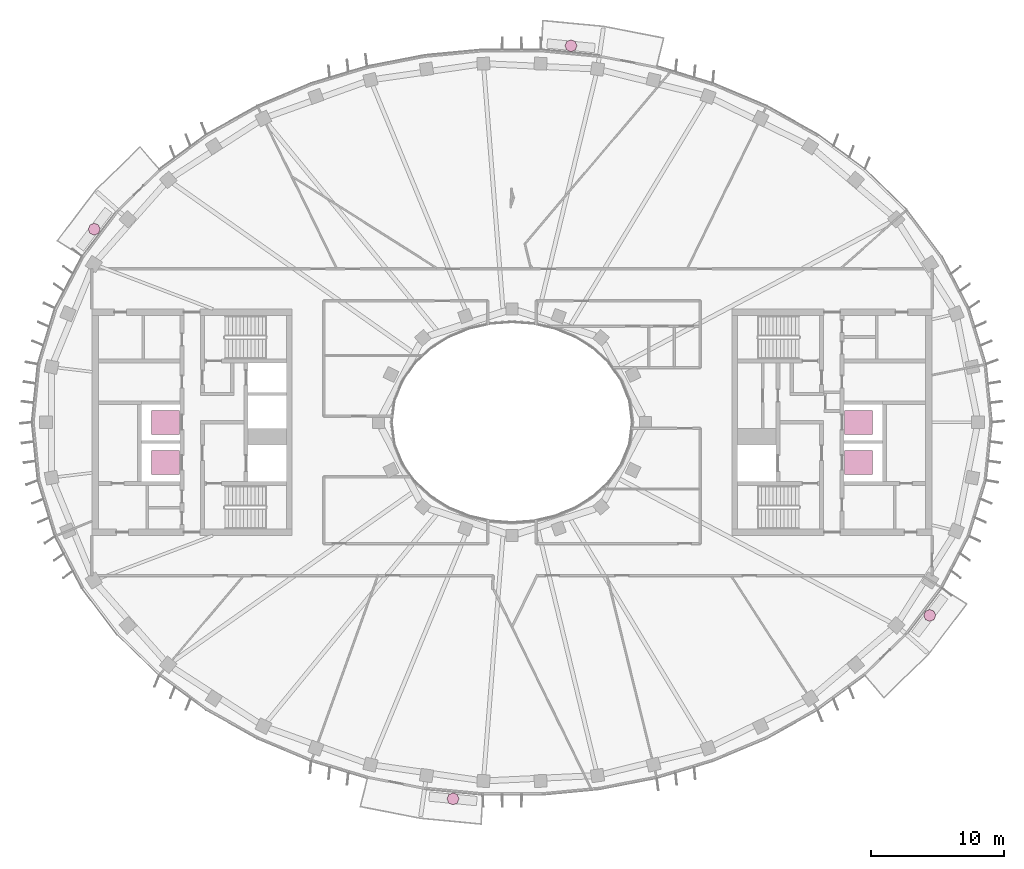
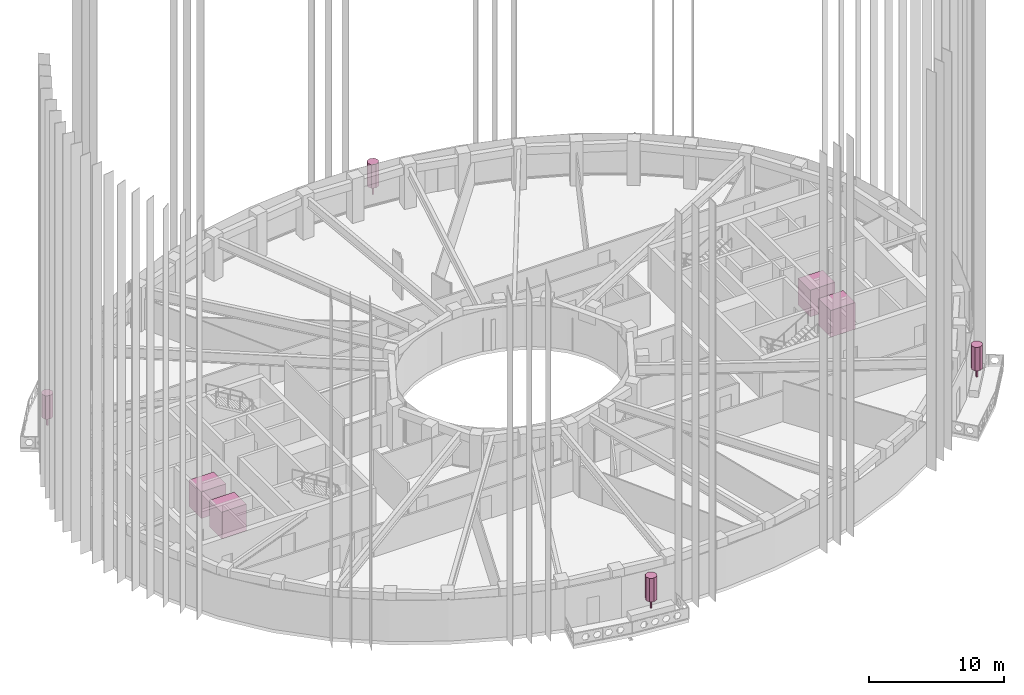
# One storey, part 17 of 17: 4 furnishings, 4 transport elements.
"""IFC4 building model written with IfcOpenShell, lengths in metres."""

import ifcopenshell
import ifcopenshell.guid

model = None  # the IFC model being written
_history = None  # IfcOwnerHistory: only IFC2X3 demands one
_inside = {}  # id of a spatial element -> (the spatial element, [elements in it])
_under = {}  # id of a project, library or spatial element -> (it, [spatial elements below it])
_declared = {}  # id of a project -> (the project, [libraries it declares])
_typed = {}  # id of a type object -> (the type object, [elements of that type])
_made_of = {}  # id of a material, layer set ... -> (it, [elements and type objects made of it])


def new_model(schema):
    """Start an empty IFC model of exactly this schema.

    Asked for "IFC4X3", IfcOpenShell would pick the latest addendum, in which some entities
    have other attributes; the version numbers below select the first issue.
    IFC2X3 requires an IfcOwnerHistory on every rooted entity: one is made here for all.
    """
    global model, _history
    if schema == "IFC4X3":
        model = ifcopenshell.file(schema_version=(4, 3, 0, 0))
    else:
        model = ifcopenshell.file(schema=schema)
    _inside.clear()
    _under.clear()
    _declared.clear()
    _typed.clear()
    _made_of.clear()
    _history = None
    if model.schema == "IFC2X3":
        org = make("IfcOrganization", Name="unknown")
        user = make(
            "IfcPersonAndOrganization",
            ThePerson=make("IfcPerson", FamilyName="unknown"),
            TheOrganization=org,
        )
        app = make(
            "IfcApplication",
            ApplicationDeveloper=org,
            Version="unknown",
            ApplicationFullName="unknown",
            ApplicationIdentifier="unknown",
        )
        _history = make(
            "IfcOwnerHistory",
            OwningUser=user,
            OwningApplication=app,
            ChangeAction="ADDED",
            CreationDate=0,
        )
    return model


def make(cls, **values):
    """One entity of the class cls with the attributes given. An attribute that is None is left unset."""
    return model.create_entity(
        cls, **{name: value for name, value in values.items() if value is not None}
    )


def rooted(cls, **values):
    """An entity with a GlobalId (a new one), such as an element, a storey or a relation."""
    return make(cls, GlobalId=ifcopenshell.guid.new(), OwnerHistory=_history, **values)


def si_unit(unit_type, name, prefix=None):
    """IfcSIUnit, for example si_unit("LENGTHUNIT", "METRE", prefix="MILLI")."""
    return make("IfcSIUnit", UnitType=unit_type, Prefix=prefix, Name=name)


def assignment(units):
    """IfcUnitAssignment: the units of a project."""
    return None if units is None else make("IfcUnitAssignment", Units=units)


def point(xyz):
    """IfcCartesianPoint."""
    return None if xyz is None else make("IfcCartesianPoint", Coordinates=xyz)


def direction(xyz):
    """IfcDirection."""
    return None if xyz is None else make("IfcDirection", DirectionRatios=xyz)


def frame(location, z_axis=None, x_axis=None):
    """IfcAxis2Placement3D, a coordinate frame: its origin and axes. An axis left out is left unset."""
    return make(
        "IfcAxis2Placement3D",
        Location=point(location),
        Axis=direction(z_axis),
        RefDirection=direction(x_axis),
    )


def frame_2d(location, x_axis=None):
    """IfcAxis2Placement2D, a coordinate frame in the plane: its origin and x axis."""
    return make(
        "IfcAxis2Placement2D", Location=point(location), RefDirection=direction(x_axis)
    )


def origin():
    """The frame at (0, 0, 0) with its axes left unset."""
    return frame((0.0, 0.0, 0.0))


def origin_2d():
    """The frame at (0, 0) in the plane with its x axis left unset."""
    return frame_2d((0.0, 0.0))


def place(relative_to, where):
    """IfcLocalPlacement: puts the frame where relative to a parent placement (None: the world)."""
    return make(
        "IfcLocalPlacement", PlacementRelTo=relative_to, RelativePlacement=where
    )


def context(
    kind, dimensions, precision=None, world=None, true_north=None, identifier=None
):
    """IfcGeometricRepresentationContext, for example the 3D "Model" context."""
    return make(
        "IfcGeometricRepresentationContext",
        ContextIdentifier=identifier,
        ContextType=kind,
        CoordinateSpaceDimension=dimensions,
        Precision=precision,
        WorldCoordinateSystem=world,
        TrueNorth=true_north,
    )


def subcontext(parent, identifier, kind, view, scale=None):
    """IfcGeometricRepresentationSubContext, for example "Body" below "Model"."""
    return make(
        "IfcGeometricRepresentationSubContext",
        ContextIdentifier=identifier,
        ContextType=kind,
        ParentContext=parent,
        TargetScale=scale,
        TargetView=view,
    )


def project(units=None, contexts=None):
    """IfcProject with its units and contexts."""
    return rooted(
        "IfcProject",
        Name="project",
        RepresentationContexts=contexts,
        UnitsInContext=assignment(units),
    )


def spatial(cls, under=None, at=None, **own):
    """A site, building, storey or space (cls), placed at a placement, below another one or the project."""
    s = rooted(cls, ObjectPlacement=at, **own)
    if under is not None:
        _under.setdefault(under.id(), (under, []))[1].append(s)
    return s


def polyline(points):
    """IfcPolyline through the points."""
    return make("IfcPolyline", Points=[point(p) for p in points])


def profile(cls, at=None, kind="AREA", **sizes):
    """A parametric profile (cls). Its sizes go by their IFC names, for example OverallWidth=200.0."""
    return make(cls, ProfileType=kind, Position=at, **sizes)


def rectangle(**sizes):
    """IfcRectangleProfileDef."""
    return profile("IfcRectangleProfileDef", **sizes)


def outline(outer, holes=None, kind="AREA"):
    """IfcArbitraryClosedProfileDef: a profile drawn as a closed curve; with holes, ...WithVoids."""
    if holes is None:
        return make("IfcArbitraryClosedProfileDef", ProfileType=kind, OuterCurve=outer)
    return make(
        "IfcArbitraryProfileDefWithVoids",
        ProfileType=kind,
        OuterCurve=outer,
        InnerCurves=holes,
    )


def extrude(swept, where, along, depth):
    """IfcExtrudedAreaSolid: the profile swept, set in the frame where, extruded along a direction by depth."""
    return make(
        "IfcExtrudedAreaSolid",
        SweptArea=swept,
        Position=where,
        ExtrudedDirection=direction(along),
        Depth=depth,
    )


def shape(context_of_items, identifier, shape_type, items):
    """IfcShapeRepresentation: the items that make up one representation, for example the "Body"."""
    return make(
        "IfcShapeRepresentation",
        ContextOfItems=context_of_items,
        RepresentationIdentifier=identifier,
        RepresentationType=shape_type,
        Items=items,
    )


def material(Name=None, Category=None):
    """IfcMaterial."""
    return make("IfcMaterial", Name=Name, Category=Category)


def made_of(thing, what):
    """Note that an element or type object is made of a material, layer set ...; save() writes the relation."""
    if what is not None:
        _made_of.setdefault(what.id(), (what, []))[1].append(thing)
    return thing


def type_object(cls, material=None, **own):
    """A type object (cls), such as IfcWallType, which elements share."""
    return made_of(rooted(cls, **own), material)


def element(
    cls,
    number,
    at=None,
    inside=None,
    cuts=None,
    type_object=None,
    material=None,
    context=None,
    identifier="Body",
    shape_type=None,
    held_by="IfcProductDefinitionShape",
    body=None,
    shapes=None,
    **own,
):
    """One element of the class cls, such as IfcWall. Its Tag is "e" and its number.

    at: its placement. inside: the storey or other place that contains it. cuts: it is an
    opening in that element (IfcRelVoidsElement). A single representation is given by context,
    identifier, shape_type and body (its items); several are given by shapes. held_by: the class
    of the entity that holds the representations. save() writes the other relations.
    """
    e = rooted(cls, Tag="e%d" % number, ObjectPlacement=at, **own)
    if body is not None:
        shapes = [shape(context, identifier, shape_type, body)]
    if shapes is not None:
        e.Representation = make(held_by, Representations=shapes)
    if inside is not None:
        _inside.setdefault(inside.id(), (inside, []))[1].append(e)
    if cuts is not None:
        rooted(
            "IfcRelVoidsElement", RelatingBuildingElement=cuts, RelatedOpeningElement=e
        )
    if type_object is not None:
        _typed.setdefault(type_object.id(), (type_object, []))[1].append(e)
    return made_of(e, material)


def aggregate(whole, parts):
    """IfcRelAggregates: a whole, such as a stair, and the parts it consists of."""
    return rooted("IfcRelAggregates", RelatingObject=whole, RelatedObjects=parts)


def save(model, path):
    """Write the relations noted so far, then the file.

    IfcRelAggregates (storeys below a building ...), IfcRelContainedInSpatialStructure (elements
    in a storey), IfcRelDefinesByType, IfcRelAssociatesMaterial and IfcRelDeclares: one each for
    every whole, place, type object, material and project.
    """
    for whole, parts in _under.values():
        aggregate(whole, parts)
    for where, things in _inside.values():
        rooted(
            "IfcRelContainedInSpatialStructure",
            RelatedElements=things,
            RelatingStructure=where,
        )
    for kind, things in _typed.values():
        rooted("IfcRelDefinesByType", RelatedObjects=things, RelatingType=kind)
    for what, things in _made_of.values():
        rooted("IfcRelAssociatesMaterial", RelatedObjects=things, RelatingMaterial=what)
    for by, libraries in _declared.values():
        rooted("IfcRelDeclares", RelatingContext=by, RelatedDefinitions=libraries)
    model.write(path)


model = new_model("IFC4")

# Units and contexts
model_context = context("Model", 3, precision=1e-05, world=origin(), true_north=direction((0.0, 1.0)))
body_context = subcontext(model_context, "Body", "Model", "MODEL_VIEW")
ifc_project = project(units=[si_unit("LENGTHUNIT", "METRE"), si_unit("AREAUNIT", "SQUARE_METRE"), si_unit("VOLUMEUNIT", "CUBIC_METRE"), si_unit("PLANEANGLEUNIT", "RADIAN"), si_unit("MASSUNIT", "GRAM", prefix="KILO")], contexts=[model_context])

# Site, building, storey
site_placement = place(None, origin())
site = spatial("IfcSite", under=ifc_project, at=site_placement, CompositionType="ELEMENT")
building_placement = place(site_placement, origin())
building = spatial("IfcBuilding", under=site, at=building_placement, Name="Noorbagh Ring Tower", CompositionType="ELEMENT")
storey_placement = place(building_placement, frame((0.0, 0.0, 291.0)))
storey = spatial("IfcBuildingStorey", under=building, at=storey_placement, Name="L62", CompositionType="ELEMENT", Elevation=291.0)

# Transport elements
ifc_material_1 = material(Name="Brushed stainless steel", Category="steel")
transport_element_type = type_object("IfcTransportElementType", Name="CORE-LIFT-HR", PredefinedType="ELEVATOR", material=ifc_material_1)
for number, where, z_axis, x_axis, name in (
    (1, (-26.0, -3.02490234375, 0.0), (0.0, 0.0, 1.0), (1.0, 0.0, 0.0), "Lift HR5"),
    (2, (-26.0, 0.0, 0.0), (0.0, 0.0, 1.0), (1.0, 0.0, 0.0), "Lift HR6"),
    (3, (26.0, -3.02490234375, 0.0), (0.0, 0.0, 1.0), (1.0, 0.0, 0.0), "Lift HR12"),
    (4, (26.0, 0.0, 0.0), (0.0, 0.0, 1.0), (1.0, 0.0, 0.0), "Lift HR13"),
):
    element("IfcTransportElement", number, at=place(storey_placement, frame(where, z_axis=z_axis, x_axis=x_axis)), inside=storey, type_object=transport_element_type, Name=name, PredefinedType="ELEVATOR", context=body_context, shape_type="SweptSolid", body=[
        extrude(rectangle(XDim=2.10009765625, YDim=1.800048828125, at=origin_2d()), origin(), (0.0, 0.0, 1.0), 2.39990234375),
    ])

# Furnishings
ifc_material_2 = material(Name="Planting foliage green")
furnishing_element_type = type_object("IfcFurnishingElementType", Name="ENV-TREE", material=ifc_material_2)
for number, where, z_axis, x_axis, name in (
    (5, (4.423828125, 28.2373046875, 0.60009765625), (0.0, 0.0, 1.0), (1.0, 0.0, 0.0), "Tree BN03"),
    (6, (-31.329833984375, 14.4833984375, 0.60009765625), (0.0, 0.0, 1.0), (1.0, 0.0, 0.0), "Tree BN06"),
    (7, (-4.423828125, -28.2373046875, 0.60009765625), (0.0, 0.0, 1.0), (1.0, 0.0, 0.0), "Tree BS03"),
    (8, (31.329833984375, -14.4833984375, 0.60009765625), (0.0, 0.0, 1.0), (1.0, 0.0, 0.0), "Tree BS06"),
):
    element("IfcFurnishingElement", number, at=place(storey_placement, frame(where, z_axis=z_axis, x_axis=x_axis)), inside=storey, type_object=furnishing_element_type, Name=name, context=body_context, shape_type="SweptSolid", body=[
        extrude(rectangle(XDim=0.1201171875, YDim=0.1201171875, at=origin_2d()), origin(), (0.0, 0.0, 1.0), 0.825927734375),
        extrude(outline(polyline([(0.449951171875, 0.0), (0.318115234375, 0.318115234375), (0.0, 0.449951171875), (-0.318115234375, 0.318115234375), (-0.449951171875, 0.0), (-0.318115234375, -0.318115234375), (0.0, -0.449951171875), (0.318115234375, -0.318115234375), (0.449951171875, 0.0)])), frame((0.0, 0.0, 0.825927734375)), (0.0, 0.0, 1.0), 2.1240234375),
    ])

save(model, "model.ifc")
